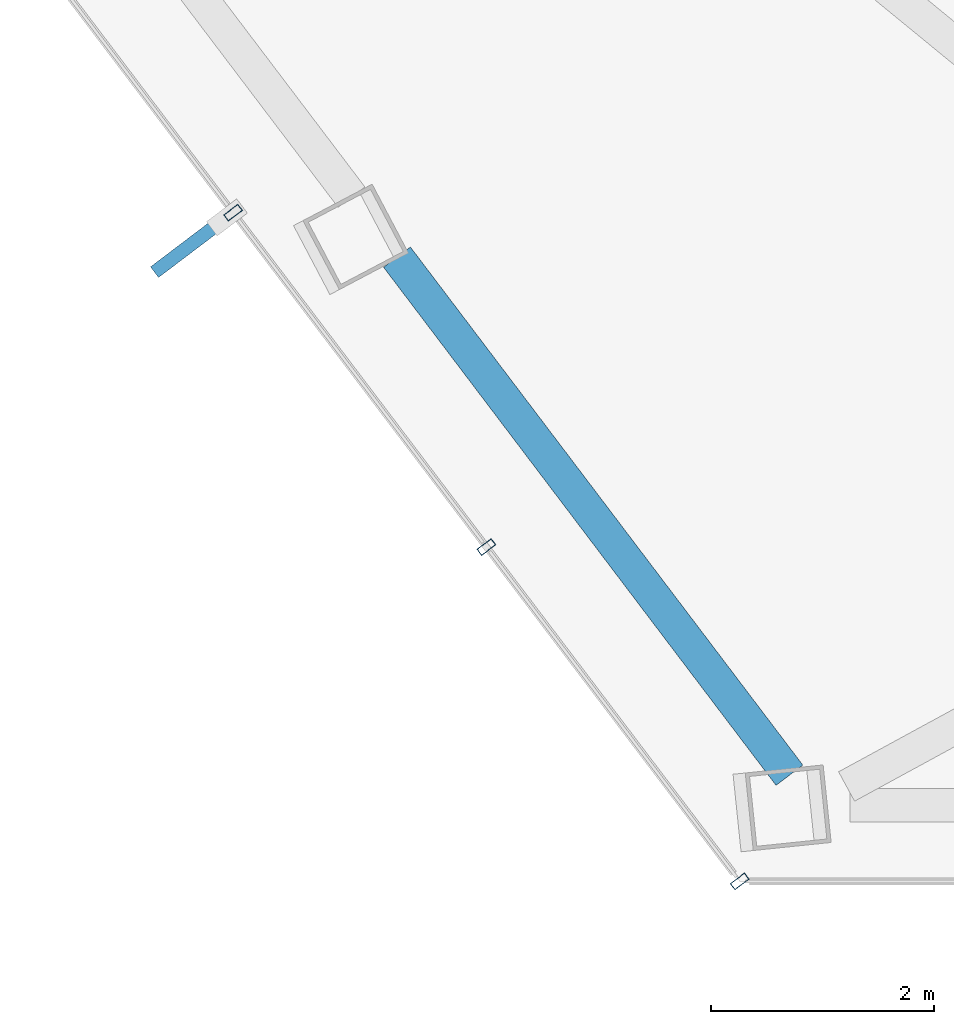
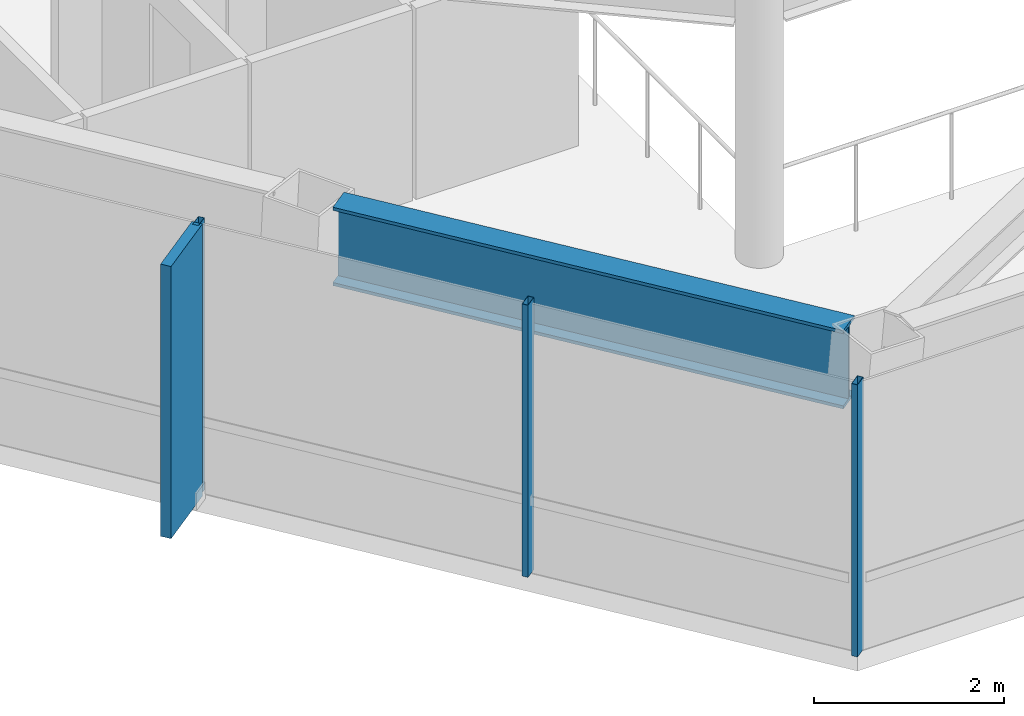
# One storey, part 2 of 27: 4 members, 1 beam, 1 element without a shape of its own.
"""IFC4 building model written with IfcOpenShell, lengths in metres."""

from ifc_helpers import new_model, si_unit, direction, frame, origin, origin_2d, place, context, subcontext, project, spatial, rectangle, hollow_rectangle, i_section, extrude, material, layer, layer_set, material_profile, profile_set, type_object, element, aggregate, save


model = new_model("IFC4")

# Units and contexts
model_context = context("Model", 3, precision=1e-05, world=origin(), true_north=direction((0.0, 1.0)))
body_context = subcontext(model_context, "Body", "Model", "MODEL_VIEW")
ifc_project = project(units=[si_unit("LENGTHUNIT", "METRE"), si_unit("AREAUNIT", "SQUARE_METRE"), si_unit("VOLUMEUNIT", "CUBIC_METRE"), si_unit("PLANEANGLEUNIT", "RADIAN"), si_unit("MASSUNIT", "GRAM", prefix="KILO")], contexts=[model_context])

# Site, building, storey
site_placement = place(None, origin())
site = spatial("IfcSite", under=ifc_project, at=site_placement, CompositionType="ELEMENT")
building_placement = place(site_placement, origin())
building = spatial("IfcBuilding", under=site, at=building_placement, Name="Zarrinselat Tower", CompositionType="ELEMENT")
storey_placement = place(building_placement, frame((0.0, 0.0, 183.260009765625)))
storey = spatial("IfcBuildingStorey", under=building, at=storey_placement, Name="L45", CompositionType="ELEMENT", Elevation=183.260009765625)

# Beam
ifc_material_1 = material(Name="Steel S460M", Category="steel")
ifc_material_profile_1 = material_profile(ifc_material_1, i_section(OverallWidth=0.302001953125, OverallDepth=1.008056640625, WebThickness=0.02099609375, FlangeThickness=0.0400390625, at=origin_2d()), Name="HEM 1000")
ifc_profile_set_1 = profile_set([ifc_material_profile_1], Name="Steel S460M")
beam_type = type_object("IfcBeamType", Name="BM-HEM1000", PredefinedType="BEAM", material=ifc_profile_set_1)
beam_placement = place(storey_placement, frame((27.964111328125, 23.160888671875, 2.99609375), z_axis=(0.603841579957, -0.797104350958, 0.0), x_axis=(0.797104350958, 0.603841579957, 0.0)))
element("IfcBeam", 1, at=beam_placement, inside=storey, type_object=beam_type, Name="L45 Perimeter Spandrel Girder SP09", PredefinedType="BEAM", context=body_context, shape_type="SweptSolid", body=[
    extrude(i_section(OverallWidth=0.302001953125, OverallDepth=1.008056640625, WebThickness=0.02099609375, FlangeThickness=0.0400390625, at=origin_2d()), origin(), (0.0, 0.0, 1.0), 5.836181640625),
])

# Curtain wall, members
ifc_material_2 = material(Name="Extruded Aluminium Alloy EN AW-6063 T6", Category="aluminium")
ifc_layer = layer(ifc_material_2, 0.175048828125)
ifc_layer_set = layer_set([ifc_layer], Name="Extruded Aluminium Alloy EN AW-6063 T6")
curtain_wall_type = type_object("IfcCurtainWallType", Name="CWS-HTL", PredefinedType="NOTDEFINED", material=ifc_layer_set)
curtain_wall_placement = place(storey_placement, origin())
curtain_wall = element("IfcCurtainWall", 2, at=curtain_wall_placement, inside=storey, type_object=curtain_wall_type, Name="L45 Unitised Curtain Wall CW-L45-E03", PredefinedType="NOTDEFINED")
ifc_material_3 = material(Name="Extruded Aluminium Alloy EN AW-6063 T6", Category="aluminium")
ifc_material_profile_2 = material_profile(ifc_material_3, hollow_rectangle(XDim=0.070068359375, YDim=0.159912109375, WallThickness=0.00390625, at=origin_2d()), Name="RHS 160x70x4")
ifc_profile_set_2 = profile_set([ifc_material_profile_2], Name="Extruded Aluminium Alloy EN AW-6063 T6")
member_type_1 = type_object("IfcMemberType", Name="MEM-CW-MUL2", PredefinedType="MULLION", material=ifc_profile_set_2)
member_1_placement = place(storey_placement, frame((26.49267578125, 23.56005859375, 0.0), z_axis=(0.0, 0.0, 1.0), x_axis=(0.603857322892, -0.797092424748, 0.0)))
member_1 = element("IfcMember", 3, at=member_1_placement, type_object=member_type_1, Name="CW-L45-E03 Mullion 5", PredefinedType="MULLION", context=body_context, shape_type="SweptSolid", body=[
    extrude(hollow_rectangle(XDim=0.070068359375, YDim=0.159912109375, WallThickness=0.00390625, at=origin_2d()), origin(), (0.0, 0.0, 1.0), 3.5),
])
member_2_placement = place(storey_placement, frame((28.76708984375, 20.5576171875, 0.0), z_axis=(0.0, 0.0, 1.0), x_axis=(0.603857322892, -0.797092424748, 0.0)))
member_2 = element("IfcMember", 4, at=member_2_placement, type_object=member_type_1, Name="CW-L45-E03 Mullion 6", PredefinedType="MULLION", context=body_context, shape_type="SweptSolid", body=[
    extrude(hollow_rectangle(XDim=0.070068359375, YDim=0.159912109375, WallThickness=0.00390625, at=origin_2d()), origin(), (0.0, 0.0, 1.0), 3.5),
])
member_3_placement = place(storey_placement, frame((31.04150390625, 17.555419921875, 0.0), z_axis=(0.0, 0.0, 1.0), x_axis=(0.603857322892, -0.797092424748, 0.0)))
member_3 = element("IfcMember", 5, at=member_3_placement, type_object=member_type_1, Name="CW-L45-E03 Mullion 7", PredefinedType="MULLION", context=body_context, shape_type="SweptSolid", body=[
    extrude(hollow_rectangle(XDim=0.070068359375, YDim=0.159912109375, WallThickness=0.00390625, at=origin_2d()), origin(), (0.0, 0.0, 1.0), 3.5),
])
ifc_material_4 = material(Name="Honed Cream Travertine Stone", Category="masonry")
ifc_material_profile_3 = material_profile(ifc_material_4, rectangle(XDim=0.1201171875, YDim=0.85009765625, at=origin_2d()), Name="FIN 850x120")
ifc_profile_set_3 = profile_set([ifc_material_profile_3], Name="Honed Cream Travertine Stone")
member_type_2 = type_object("IfcMemberType", Name="MEM-STONE-FIN", PredefinedType="USERDEFINED", material=ifc_profile_set_3)
member_4_placement = place(storey_placement, frame((26.1259765625, 23.2822265625, 0.0), z_axis=(0.0, 0.0, 1.0), x_axis=(-0.603857322892, 0.797092424748, 0.0)))
member_4 = element("IfcMember", 6, at=member_4_placement, type_object=member_type_2, Name="L45 Stone Shading Fin CW-L45-E03-05", ObjectType="FIN", PredefinedType="USERDEFINED", context=body_context, shape_type="SweptSolid", body=[
    extrude(rectangle(XDim=0.1201171875, YDim=0.85009765625, at=origin_2d()), origin(), (0.0, 0.0, 1.0), 3.5),
])
aggregate(curtain_wall, [member_1, member_4, member_2, member_3])

save(model, "model.ifc")
